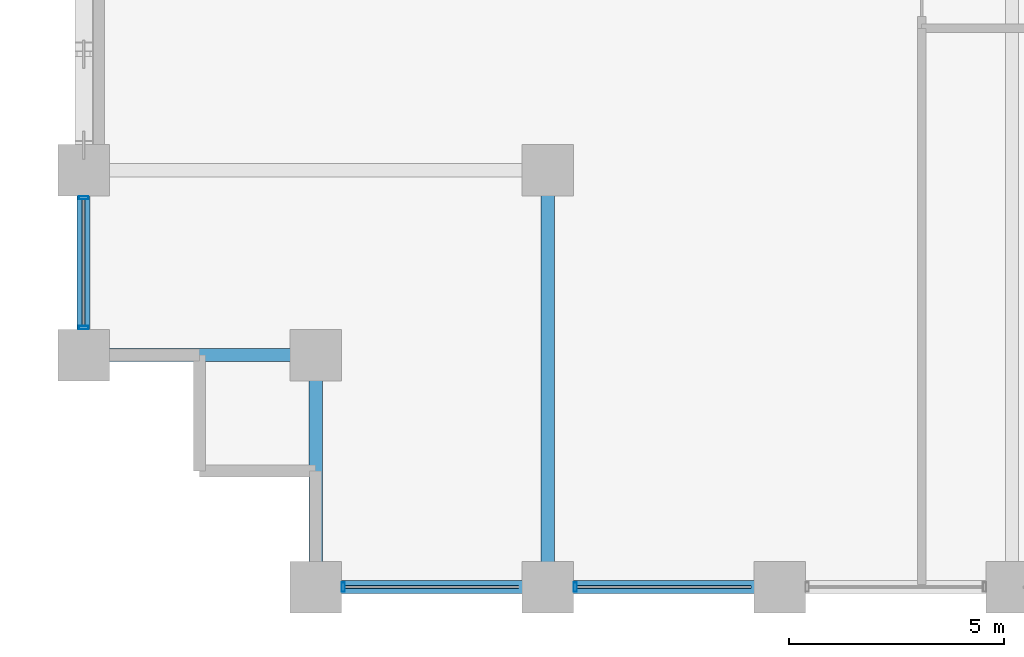
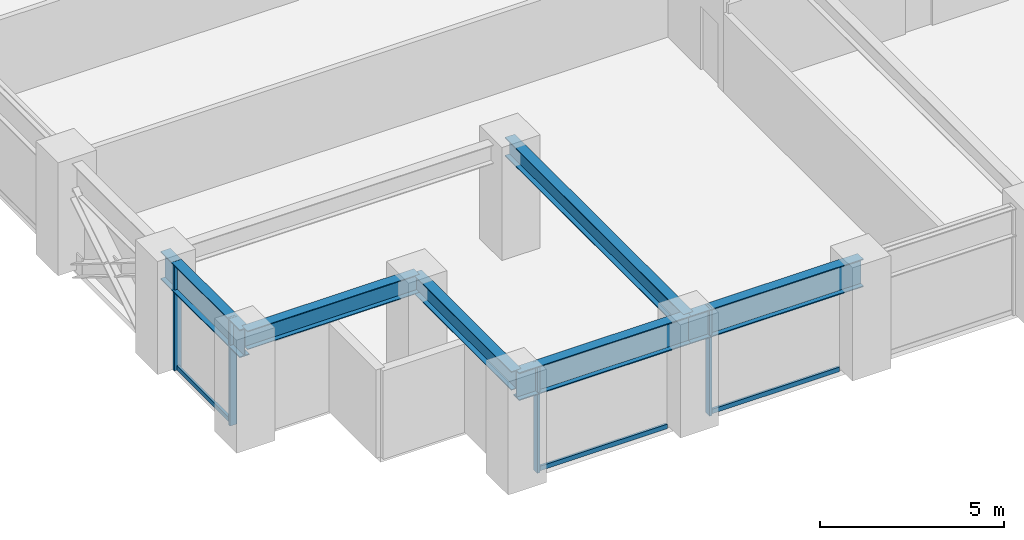
# One storey, part 2 of 26: 7 members, 6 beams, 2 elements without a shape of their own.
"""IFC4 building model written with IfcOpenShell, lengths in metres."""

import ifcopenshell
import ifcopenshell.guid

model = None  # the IFC model being written
_history = None  # IfcOwnerHistory: only IFC2X3 demands one
_inside = {}  # id of a spatial element -> (the spatial element, [elements in it])
_under = {}  # id of a project, library or spatial element -> (it, [spatial elements below it])
_declared = {}  # id of a project -> (the project, [libraries it declares])
_typed = {}  # id of a type object -> (the type object, [elements of that type])
_made_of = {}  # id of a material, layer set ... -> (it, [elements and type objects made of it])


def new_model(schema):
    """Start an empty IFC model of exactly this schema.

    Asked for "IFC4X3", IfcOpenShell would pick the latest addendum, in which some entities
    have other attributes; the version numbers below select the first issue.
    IFC2X3 requires an IfcOwnerHistory on every rooted entity: one is made here for all.
    """
    global model, _history
    if schema == "IFC4X3":
        model = ifcopenshell.file(schema_version=(4, 3, 0, 0))
    else:
        model = ifcopenshell.file(schema=schema)
    _inside.clear()
    _under.clear()
    _declared.clear()
    _typed.clear()
    _made_of.clear()
    _history = None
    if model.schema == "IFC2X3":
        org = make("IfcOrganization", Name="unknown")
        user = make(
            "IfcPersonAndOrganization",
            ThePerson=make("IfcPerson", FamilyName="unknown"),
            TheOrganization=org,
        )
        app = make(
            "IfcApplication",
            ApplicationDeveloper=org,
            Version="unknown",
            ApplicationFullName="unknown",
            ApplicationIdentifier="unknown",
        )
        _history = make(
            "IfcOwnerHistory",
            OwningUser=user,
            OwningApplication=app,
            ChangeAction="ADDED",
            CreationDate=0,
        )
    return model


def make(cls, **values):
    """One entity of the class cls with the attributes given. An attribute that is None is left unset."""
    return model.create_entity(
        cls, **{name: value for name, value in values.items() if value is not None}
    )


def rooted(cls, **values):
    """An entity with a GlobalId (a new one), such as an element, a storey or a relation."""
    return make(cls, GlobalId=ifcopenshell.guid.new(), OwnerHistory=_history, **values)


def si_unit(unit_type, name, prefix=None):
    """IfcSIUnit, for example si_unit("LENGTHUNIT", "METRE", prefix="MILLI")."""
    return make("IfcSIUnit", UnitType=unit_type, Prefix=prefix, Name=name)


def assignment(units):
    """IfcUnitAssignment: the units of a project."""
    return None if units is None else make("IfcUnitAssignment", Units=units)


def point(xyz):
    """IfcCartesianPoint."""
    return None if xyz is None else make("IfcCartesianPoint", Coordinates=xyz)


def direction(xyz):
    """IfcDirection."""
    return None if xyz is None else make("IfcDirection", DirectionRatios=xyz)


def frame(location, z_axis=None, x_axis=None):
    """IfcAxis2Placement3D, a coordinate frame: its origin and axes. An axis left out is left unset."""
    return make(
        "IfcAxis2Placement3D",
        Location=point(location),
        Axis=direction(z_axis),
        RefDirection=direction(x_axis),
    )


def frame_2d(location, x_axis=None):
    """IfcAxis2Placement2D, a coordinate frame in the plane: its origin and x axis."""
    return make(
        "IfcAxis2Placement2D", Location=point(location), RefDirection=direction(x_axis)
    )


def origin():
    """The frame at (0, 0, 0) with its axes left unset."""
    return frame((0.0, 0.0, 0.0))


def origin_2d():
    """The frame at (0, 0) in the plane with its x axis left unset."""
    return frame_2d((0.0, 0.0))


def place(relative_to, where):
    """IfcLocalPlacement: puts the frame where relative to a parent placement (None: the world)."""
    return make(
        "IfcLocalPlacement", PlacementRelTo=relative_to, RelativePlacement=where
    )


def context(
    kind, dimensions, precision=None, world=None, true_north=None, identifier=None
):
    """IfcGeometricRepresentationContext, for example the 3D "Model" context."""
    return make(
        "IfcGeometricRepresentationContext",
        ContextIdentifier=identifier,
        ContextType=kind,
        CoordinateSpaceDimension=dimensions,
        Precision=precision,
        WorldCoordinateSystem=world,
        TrueNorth=true_north,
    )


def subcontext(parent, identifier, kind, view, scale=None):
    """IfcGeometricRepresentationSubContext, for example "Body" below "Model"."""
    return make(
        "IfcGeometricRepresentationSubContext",
        ContextIdentifier=identifier,
        ContextType=kind,
        ParentContext=parent,
        TargetScale=scale,
        TargetView=view,
    )


def project(units=None, contexts=None):
    """IfcProject with its units and contexts."""
    return rooted(
        "IfcProject",
        Name="project",
        RepresentationContexts=contexts,
        UnitsInContext=assignment(units),
    )


def spatial(cls, under=None, at=None, **own):
    """A site, building, storey or space (cls), placed at a placement, below another one or the project."""
    s = rooted(cls, ObjectPlacement=at, **own)
    if under is not None:
        _under.setdefault(under.id(), (under, []))[1].append(s)
    return s


def profile(cls, at=None, kind="AREA", **sizes):
    """A parametric profile (cls). Its sizes go by their IFC names, for example OverallWidth=200.0."""
    return make(cls, ProfileType=kind, Position=at, **sizes)


def hollow_rectangle(**sizes):
    """IfcRectangleHollowProfileDef."""
    return profile("IfcRectangleHollowProfileDef", **sizes)


def i_section(**sizes):
    """IfcIShapeProfileDef."""
    return profile("IfcIShapeProfileDef", **sizes)


def extrude(swept, where, along, depth):
    """IfcExtrudedAreaSolid: the profile swept, set in the frame where, extruded along a direction by depth."""
    return make(
        "IfcExtrudedAreaSolid",
        SweptArea=swept,
        Position=where,
        ExtrudedDirection=direction(along),
        Depth=depth,
    )


def shape(context_of_items, identifier, shape_type, items):
    """IfcShapeRepresentation: the items that make up one representation, for example the "Body"."""
    return make(
        "IfcShapeRepresentation",
        ContextOfItems=context_of_items,
        RepresentationIdentifier=identifier,
        RepresentationType=shape_type,
        Items=items,
    )


def material(Name=None, Category=None):
    """IfcMaterial."""
    return make("IfcMaterial", Name=Name, Category=Category)


def layer(
    of_material, thickness, ventilated=None, Name=None, Category=None, Priority=None
):
    """IfcMaterialLayer: one layer of a wall or slab, of a material (None: an air gap)."""
    return make(
        "IfcMaterialLayer",
        Material=of_material,
        LayerThickness=thickness,
        IsVentilated=ventilated,
        Name=Name,
        Category=Category,
        Priority=Priority,
    )


def layer_set(layers, Name=None):
    """IfcMaterialLayerSet."""
    return make("IfcMaterialLayerSet", MaterialLayers=layers, LayerSetName=Name)


def material_profile(
    of_material, cross_section, Name=None, Category=None, Priority=None
):
    """IfcMaterialProfile: a cross section and its material."""
    return make(
        "IfcMaterialProfile",
        Name=Name,
        Material=of_material,
        Profile=cross_section,
        Priority=Priority,
        Category=Category,
    )


def profile_set(profiles, Name=None, composite=None):
    """IfcMaterialProfileSet."""
    return make(
        "IfcMaterialProfileSet",
        Name=Name,
        MaterialProfiles=profiles,
        CompositeProfile=composite,
    )


def made_of(thing, what):
    """Note that an element or type object is made of a material, layer set ...; save() writes the relation."""
    if what is not None:
        _made_of.setdefault(what.id(), (what, []))[1].append(thing)
    return thing


def type_object(cls, material=None, **own):
    """A type object (cls), such as IfcWallType, which elements share."""
    return made_of(rooted(cls, **own), material)


def element(
    cls,
    number,
    at=None,
    inside=None,
    cuts=None,
    type_object=None,
    material=None,
    context=None,
    identifier="Body",
    shape_type=None,
    held_by="IfcProductDefinitionShape",
    body=None,
    shapes=None,
    **own,
):
    """One element of the class cls, such as IfcWall. Its Tag is "e" and its number.

    at: its placement. inside: the storey or other place that contains it. cuts: it is an
    opening in that element (IfcRelVoidsElement). A single representation is given by context,
    identifier, shape_type and body (its items); several are given by shapes. held_by: the class
    of the entity that holds the representations. save() writes the other relations.
    """
    e = rooted(cls, Tag="e%d" % number, ObjectPlacement=at, **own)
    if body is not None:
        shapes = [shape(context, identifier, shape_type, body)]
    if shapes is not None:
        e.Representation = make(held_by, Representations=shapes)
    if inside is not None:
        _inside.setdefault(inside.id(), (inside, []))[1].append(e)
    if cuts is not None:
        rooted(
            "IfcRelVoidsElement", RelatingBuildingElement=cuts, RelatedOpeningElement=e
        )
    if type_object is not None:
        _typed.setdefault(type_object.id(), (type_object, []))[1].append(e)
    return made_of(e, material)


def aggregate(whole, parts):
    """IfcRelAggregates: a whole, such as a stair, and the parts it consists of."""
    return rooted("IfcRelAggregates", RelatingObject=whole, RelatedObjects=parts)


def save(model, path):
    """Write the relations noted so far, then the file.

    IfcRelAggregates (storeys below a building ...), IfcRelContainedInSpatialStructure (elements
    in a storey), IfcRelDefinesByType, IfcRelAssociatesMaterial and IfcRelDeclares: one each for
    every whole, place, type object, material and project.
    """
    for whole, parts in _under.values():
        aggregate(whole, parts)
    for where, things in _inside.values():
        rooted(
            "IfcRelContainedInSpatialStructure",
            RelatedElements=things,
            RelatingStructure=where,
        )
    for kind, things in _typed.values():
        rooted("IfcRelDefinesByType", RelatedObjects=things, RelatingType=kind)
    for what, things in _made_of.values():
        rooted("IfcRelAssociatesMaterial", RelatedObjects=things, RelatingMaterial=what)
    for by, libraries in _declared.values():
        rooted("IfcRelDeclares", RelatingContext=by, RelatedDefinitions=libraries)
    model.write(path)


model = new_model("IFC4")

# Units and contexts
model_context = context("Model", 3, precision=1e-05, world=origin(), true_north=direction((0.0, 1.0)))
body_context = subcontext(model_context, "Body", "Model", "MODEL_VIEW")
ifc_project = project(units=[si_unit("LENGTHUNIT", "METRE"), si_unit("AREAUNIT", "SQUARE_METRE"), si_unit("VOLUMEUNIT", "CUBIC_METRE"), si_unit("PLANEANGLEUNIT", "RADIAN"), si_unit("MASSUNIT", "GRAM", prefix="KILO")], contexts=[model_context])

# Site, building, storey
site_placement = place(None, origin())
site = spatial("IfcSite", under=ifc_project, at=site_placement, CompositionType="ELEMENT")
building_placement = place(site_placement, origin())
building = spatial("IfcBuilding", under=site, at=building_placement, Name="Surkhivell Harbour Commons", CompositionType="ELEMENT")
storey_placement = place(building_placement, frame((0.0, 0.0, 60.0)))
storey = spatial("IfcBuildingStorey", under=building, at=storey_placement, Name="L15", CompositionType="ELEMENT", Elevation=60.0)

# Beams
ifc_material_1 = material(Name="Steel S355", Category="steel")
ifc_material_profile_1 = material_profile(ifc_material_1, i_section(OverallWidth=0.306884765625, OverallDepth=0.6201171875, WebThickness=0.01416015625, FlangeThickness=0.023681640625, at=origin_2d()), Name="UB610x305x179")
ifc_profile_set_1 = profile_set([ifc_material_profile_1], Name="Steel S355")
beam_type_1 = type_object("IfcBeamType", Name="BM-GRD-610A", PredefinedType="BEAM", material=ifc_profile_set_1)
for number, where, z_axis, x_axis, name in (
    (1, (-32.39990234375, -20.5, 3.260009765625), (1.0, 0.0, 0.0), (0.0, 1.0, 0.0), "L15 Floor Girder (-32.4,-20.5)"),
    (2, (-27.0, -25.89990234375, 3.260009765625), (0.0, 1.0, 0.0), (-1.0, 0.0, 0.0), "L15 Floor Girder (-27.0,-25.9)"),
):
    element("IfcBeam", number, at=place(storey_placement, frame(where, z_axis=z_axis, x_axis=x_axis)), inside=storey, type_object=beam_type_1, Name=name, PredefinedType="BEAM", context=body_context, shape_type="SweptSolid", body=[
        extrude(i_section(OverallWidth=0.306884765625, OverallDepth=0.6201171875, WebThickness=0.01416015625, FlangeThickness=0.023681640625, at=origin_2d()), origin(), (0.0, 0.0, 1.0), 5.39990234375),
    ])
beam_1_placement = place(storey_placement, frame((-21.60009765625, -25.89990234375, 3.260009765625), z_axis=(0.0, 1.0, 0.0), x_axis=(-1.0, 0.0, 0.0)))
element("IfcBeam", 3, at=beam_1_placement, inside=storey, type_object=beam_type_1, Name="L15 Floor Girder (-21.6,-25.9)", PredefinedType="BEAM", context=body_context, shape_type="SweptSolid", body=[
    extrude(i_section(OverallWidth=0.306884765625, OverallDepth=0.6201171875, WebThickness=0.01416015625, FlangeThickness=0.023681640625, at=origin_2d()), origin(), (0.0, 0.0, 1.0), 9.699951171875),
])
ifc_material_2 = material(Name="Steel S460", Category="steel")
ifc_material_profile_2 = material_profile(ifc_material_2, i_section(OverallWidth=0.30810546875, OverallDepth=0.927001953125, WebThickness=0.01953125, FlangeThickness=0.031982421875, at=origin_2d()), Name="UB914x305x289")
ifc_profile_set_2 = profile_set([ifc_material_profile_2], Name="Steel S460")
beam_type_2 = type_object("IfcBeamType", Name="BM-SPN-914B", PredefinedType="SPANDREL", material=ifc_profile_set_2)
beam_2_placement = place(storey_placement, frame((-32.39990234375, -20.5, 3.1064453125), z_axis=(0.0, 1.0, 0.0), x_axis=(-1.0, 0.0, 0.0)))
element("IfcBeam", 4, at=beam_2_placement, inside=storey, type_object=beam_type_2, Name="L15 Tube Spandrel (-32.4,-20.5)", PredefinedType="SPANDREL", context=body_context, shape_type="SweptSolid", body=[
    extrude(i_section(OverallWidth=0.30810546875, OverallDepth=0.927001953125, WebThickness=0.01953125, FlangeThickness=0.031982421875, at=origin_2d()), origin(), (0.0, 0.0, 1.0), 4.300048828125),
])
beam_3_placement = place(storey_placement, frame((-27.0, -25.89990234375, 3.1064453125), z_axis=(1.0, 0.0, 0.0), x_axis=(0.0, 1.0, 0.0)))
element("IfcBeam", 5, at=beam_3_placement, inside=storey, type_object=beam_type_2, Name="L15 Tube Spandrel (-27.0,-25.9)", PredefinedType="SPANDREL", context=body_context, shape_type="SweptSolid", body=[
    extrude(i_section(OverallWidth=0.30810546875, OverallDepth=0.927001953125, WebThickness=0.01953125, FlangeThickness=0.031982421875, at=origin_2d()), origin(), (0.0, 0.0, 1.0), 5.39990234375),
])
beam_4_placement = place(storey_placement, frame((-21.60009765625, -25.89990234375, 3.1064453125), z_axis=(1.0, 0.0, 0.0), x_axis=(0.0, 1.0, 0.0)))
element("IfcBeam", 6, at=beam_4_placement, inside=storey, type_object=beam_type_2, Name="L15 Tube Spandrel (-21.6,-25.9)", PredefinedType="SPANDREL", context=body_context, shape_type="SweptSolid", body=[
    extrude(i_section(OverallWidth=0.30810546875, OverallDepth=0.927001953125, WebThickness=0.01953125, FlangeThickness=0.031982421875, at=origin_2d()), origin(), (0.0, 0.0, 1.0), 5.400146484375),
])

# Curtain wall, members
ifc_material_3 = material(Name="Anodised pale-metal aluminium and insulated glazing", Category="aluminium")
ifc_layer = layer(ifc_material_3, 0.219970703125)
ifc_layer_set = layer_set([ifc_layer], Name="Anodised pale-metal aluminium and insulated glazing")
curtain_wall_type = type_object("IfcCurtainWallType", Name="CW-SYS-Z1", PredefinedType="NOTDEFINED", material=ifc_layer_set)
curtain_wall_1_placement = place(storey_placement, origin())
curtain_wall_1 = element("IfcCurtainWall", 7, at=curtain_wall_1_placement, inside=storey, type_object=curtain_wall_type, Name="L15 Curtain Wall CW-L15-E00S1", PredefinedType="NOTDEFINED")
ifc_material_4 = material(Name="Anodised pale-metal aluminium alloy 6063-T6", Category="aluminium")
ifc_material_profile_3 = material_profile(ifc_material_4, hollow_rectangle(XDim=0.074951171875, YDim=0.219970703125, WallThickness=0.00390625, at=origin_2d()), Name="ALU-MULL-75x220")
ifc_profile_set_3 = profile_set([ifc_material_profile_3], Name="Anodised pale-metal aluminium alloy 6063-T6")
member_type_1 = type_object("IfcMemberType", Name="CWM-220", PredefinedType="MULLION", material=ifc_profile_set_3)
member_1_placement = place(storey_placement, frame((-26.360595703125, -25.89990234375, 0.0), z_axis=(0.0, 0.0, 1.0), x_axis=(1.0, 0.0, 0.0)))
member_1 = element("IfcMember", 8, at=member_1_placement, type_object=member_type_1, Name="CW-Z1 mullion 1", PredefinedType="MULLION", context=body_context, shape_type="SweptSolid", body=[
    extrude(hollow_rectangle(XDim=0.074951171875, YDim=0.219970703125, WallThickness=0.00390625, at=origin_2d()), origin(), (0.0, 0.0, 1.0), 3.570068359375),
])
member_2_placement = place(storey_placement, frame((-20.96044921875, -25.89990234375, 0.0), z_axis=(0.0, 0.0, 1.0), x_axis=(1.0, 0.0, 0.0)))
member_2 = element("IfcMember", 9, at=member_2_placement, type_object=member_type_1, Name="CW-Z1 mullion 2", PredefinedType="MULLION", context=body_context, shape_type="SweptSolid", body=[
    extrude(hollow_rectangle(XDim=0.074951171875, YDim=0.219970703125, WallThickness=0.00390625, at=origin_2d()), origin(), (0.0, 0.0, 1.0), 3.570068359375),
])

curtain_wall_2_placement = place(storey_placement, origin())
curtain_wall_2 = element("IfcCurtainWall", 10, at=curtain_wall_2_placement, inside=storey, type_object=curtain_wall_type, Name="L15 Curtain Wall CW-L15-E12R1S1", PredefinedType="NOTDEFINED")
member_3_placement = place(storey_placement, frame((-32.39990234375, -19.860595703125, 0.0), z_axis=(0.0, 0.0, 1.0), x_axis=(0.0, 1.0, 0.0)))
member_3 = element("IfcMember", 11, at=member_3_placement, type_object=member_type_1, Name="CW-Z1 mullion 1", PredefinedType="MULLION", context=body_context, shape_type="SweptSolid", body=[
    extrude(hollow_rectangle(XDim=0.074951171875, YDim=0.219970703125, WallThickness=0.00390625, at=origin_2d()), origin(), (0.0, 0.0, 1.0), 3.570068359375),
])
member_4_placement = place(storey_placement, frame((-32.39990234375, -16.839599609375, 0.0), z_axis=(0.0, 0.0, 1.0), x_axis=(0.0, 1.0, 0.0)))
member_4 = element("IfcMember", 12, at=member_4_placement, type_object=member_type_1, Name="CW-Z1 mullion 2", PredefinedType="MULLION", context=body_context, shape_type="SweptSolid", body=[
    extrude(hollow_rectangle(XDim=0.074951171875, YDim=0.219970703125, WallThickness=0.00390625, at=origin_2d()), origin(), (0.0, 0.0, 1.0), 3.570068359375),
])

# Member
ifc_material_profile_4 = material_profile(ifc_material_4, hollow_rectangle(XDim=0.074951171875, YDim=0.14990234375, WallThickness=0.00341796875, at=origin_2d()), Name="ALU-TRAN-75x150")
ifc_profile_set_4 = profile_set([ifc_material_profile_4], Name="Anodised pale-metal aluminium alloy 6063-T6")
member_type_2 = type_object("IfcMemberType", Name="CWT-150", PredefinedType="USERDEFINED", material=ifc_profile_set_4)
member_5_placement = place(storey_placement, frame((-26.322998046875, -25.89990234375, 0.074951171875), z_axis=(1.0, 0.0, 0.0), x_axis=(0.0, 1.0, 0.0)))
member_5 = element("IfcMember", 13, at=member_5_placement, type_object=member_type_2, Name="CW-Z1 transom 1.1", ObjectType="TRANSOM", PredefinedType="USERDEFINED", context=body_context, shape_type="SweptSolid", body=[
    extrude(hollow_rectangle(XDim=0.074951171875, YDim=0.14990234375, WallThickness=0.00341796875, at=origin_2d()), origin(), (0.0, 0.0, 1.0), 4.0458984375),
])

member_6_placement = place(storey_placement, frame((-20.923095703125, -25.89990234375, 0.074951171875), z_axis=(1.0, 0.0, 0.0), x_axis=(0.0, 1.0, 0.0)))
member_6 = element("IfcMember", 14, at=member_6_placement, type_object=member_type_2, Name="CW-Z1 transom 2.1", ObjectType="TRANSOM", PredefinedType="USERDEFINED", context=body_context, shape_type="SweptSolid", body=[
    extrude(hollow_rectangle(XDim=0.074951171875, YDim=0.14990234375, WallThickness=0.00341796875, at=origin_2d()), origin(), (0.0, 0.0, 1.0), 4.046142578125),
])

aggregate(curtain_wall_1, [member_1, member_5, member_2, member_6])

member_7_placement = place(storey_placement, frame((-32.39990234375, -19.822998046875, 0.074951171875), z_axis=(0.0, 1.0, 0.0), x_axis=(-1.0, 0.0, 0.0)))
member_7 = element("IfcMember", 15, at=member_7_placement, type_object=member_type_2, Name="CW-Z1 transom 1.1", ObjectType="TRANSOM", PredefinedType="USERDEFINED", context=body_context, shape_type="SweptSolid", body=[
    extrude(hollow_rectangle(XDim=0.074951171875, YDim=0.14990234375, WallThickness=0.00341796875, at=origin_2d()), origin(), (0.0, 0.0, 1.0), 2.946044921875),
])

aggregate(curtain_wall_2, [member_3, member_4, member_7])

save(model, "model.ifc")
